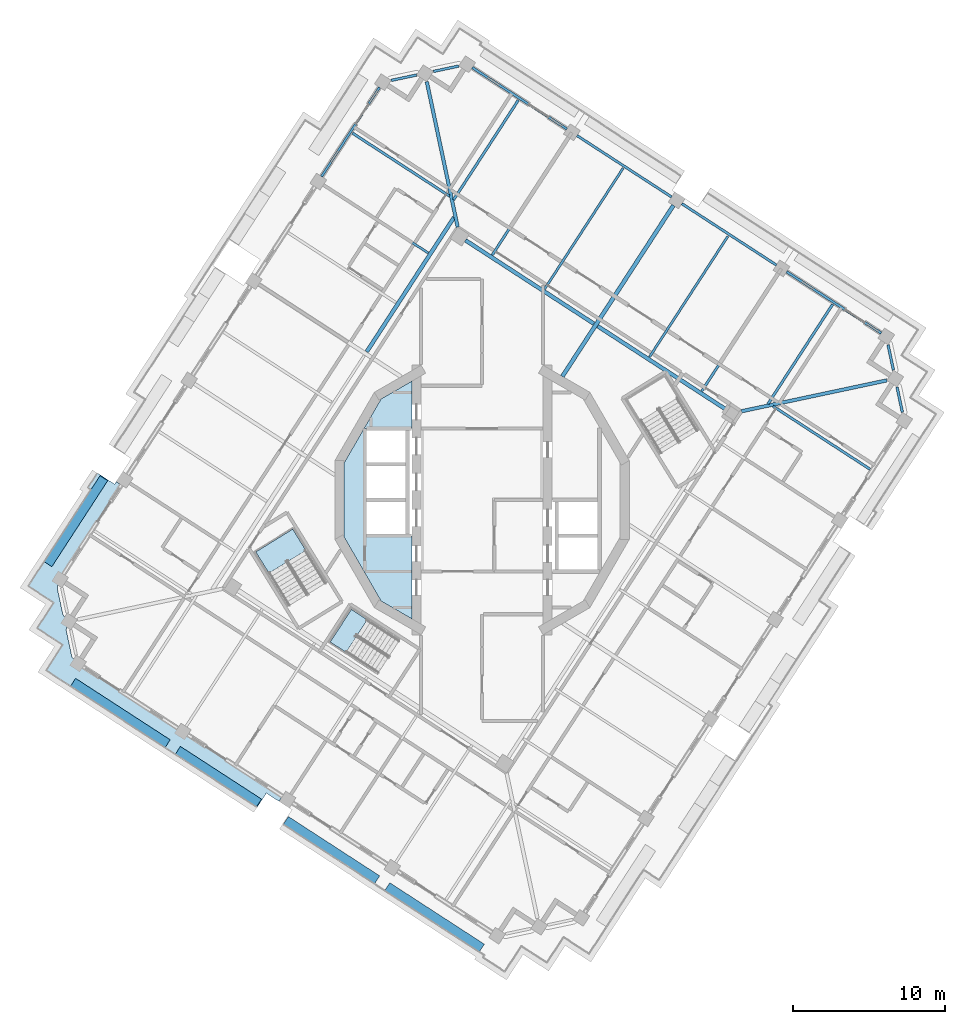
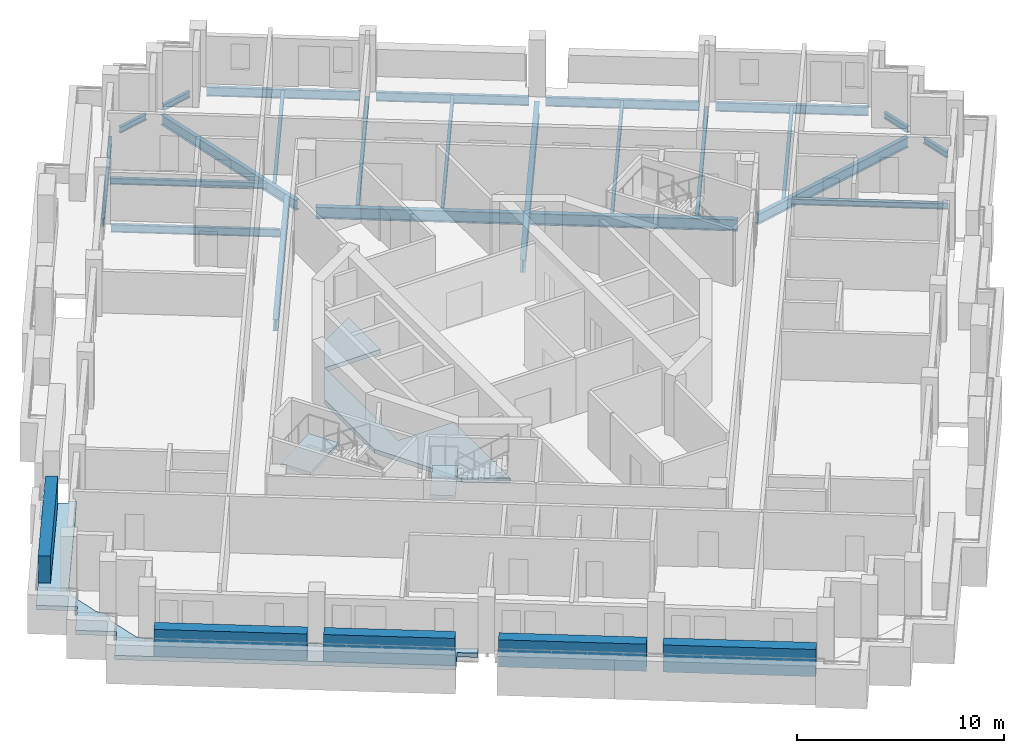
# One storey, part 2 of 15: 24 beams, 5 plates, 4 slabs, 2 elements without a shape of their own.
"""IFC4 building model written with IfcOpenShell, lengths in metres."""

from ifc_helpers import new_model, si_unit, direction, frame, origin, origin_2d, place, context, subcontext, project, spatial, polyline, rectangle, i_section, outline, extrude, material, layer, layer_set, material_profile, profile_set, type_object, element, aggregate, save


model = new_model("IFC4")

# Units and contexts
model_context = context("Model", 3, precision=1e-05, world=origin(), true_north=direction((0.0, 1.0)))
body_context = subcontext(model_context, "Body", "Model", "MODEL_VIEW")
ifc_project = project(units=[si_unit("LENGTHUNIT", "METRE"), si_unit("AREAUNIT", "SQUARE_METRE"), si_unit("VOLUMEUNIT", "CUBIC_METRE"), si_unit("PLANEANGLEUNIT", "RADIAN"), si_unit("MASSUNIT", "GRAM", prefix="KILO")], contexts=[model_context])

# Site, building, storey
site_placement = place(None, origin())
site = spatial("IfcSite", under=ifc_project, at=site_placement, CompositionType="ELEMENT")
building_placement = place(site_placement, origin())
building = spatial("IfcBuilding", under=site, at=building_placement, Name="Cantera Rosa Tower", CompositionType="ELEMENT")
storey_placement = place(building_placement, frame((0.0, 0.0, 272.10009765625)))
storey = spatial("IfcBuildingStorey", under=building, at=storey_placement, Name="L61", CompositionType="ELEMENT", Elevation=272.10009765625)

# Beams
ifc_material_1 = material(Name="Steel ASTM A992 (Fy 345 MPa)", Category="steel")
ifc_material_profile_1 = material_profile(ifc_material_1, i_section(OverallWidth=0.154052734375, OverallDepth=0.4599609375, WebThickness=0.009033203125, FlangeThickness=0.015380859375, FilletRadius=0.01025390625, at=origin_2d()), Name="W460X68")
ifc_profile_set_1 = profile_set([ifc_material_profile_1], Name="Steel ASTM A992 (Fy 345 MPa)")
beam_type_1 = type_object("IfcBeamType", Name="STEEL BEAM W460X68", PredefinedType="BEAM", material=ifc_profile_set_1)
beam_1_placement = place(storey_placement, frame((-10.41748046875, 20.68017578125, -0.47998046875), z_axis=(0.838672777751, -0.544635632198, 0.0), x_axis=(0.544635632198, 0.838672777751, 0.0)))
element("IfcBeam", 1, at=beam_1_placement, inside=storey, type_object=beam_type_1, Name="G-Z5-04 L61", PredefinedType="BEAM", context=body_context, shape_type="SweptSolid", body=[
    extrude(i_section(OverallWidth=0.154052734375, OverallDepth=0.4599609375, WebThickness=0.009033203125, FlangeThickness=0.015380859375, FilletRadius=0.01025390625, at=origin_2d()), origin(), (0.0, 0.0, 1.0), 8.2001953125),
])
ifc_material_2 = material(Name="Steel ASTM A992 (Fy 345 MPa)", Category="steel")
ifc_material_profile_2 = material_profile(ifc_material_2, i_section(OverallWidth=0.166015625, OverallDepth=0.528076171875, WebThickness=0.009765625, FlangeThickness=0.013671875, FilletRadius=0.0126953125, at=origin_2d()), Name="W530X74")
ifc_profile_set_2 = profile_set([ifc_material_profile_2], Name="Steel ASTM A992 (Fy 345 MPa)")
beam_type_2 = type_object("IfcBeamType", Name="STEEL BEAM W530X74", PredefinedType="BEAM", material=ifc_profile_set_2)
beam_2_placement = place(storey_placement, frame((19.430908203125, 14.865234375, -0.51416015625), z_axis=(-0.544634776066, -0.838673333724, 0.0), x_axis=(0.838673333724, -0.544634776066, 0.0)))
element("IfcBeam", 2, at=beam_2_placement, inside=storey, type_object=beam_type_2, Name="G-Z5-01 L61", PredefinedType="BEAM", context=body_context, shape_type="SweptSolid", body=[
    extrude(i_section(OverallWidth=0.166015625, OverallDepth=0.528076171875, WebThickness=0.009765625, FlangeThickness=0.013671875, FilletRadius=0.0126953125, at=origin_2d()), origin(), (0.0, 0.0, 1.0), 9.19970703125),
])
beam_3_placement = place(storey_placement, frame((5.6767578125, 23.79736328125, -0.51416015625), z_axis=(-0.544622654601, -0.838681205283, 0.0), x_axis=(0.838681205283, -0.544622654601, 0.0)))
element("IfcBeam", 3, at=beam_3_placement, inside=storey, type_object=beam_type_2, Name="G-Z5-03 L61", PredefinedType="BEAM", context=body_context, shape_type="SweptSolid", body=[
    extrude(i_section(OverallWidth=0.166015625, OverallDepth=0.528076171875, WebThickness=0.009765625, FlangeThickness=0.013671875, FilletRadius=0.0126953125, at=origin_2d()), origin(), (0.0, 0.0, 1.0), 9.199951171875),
])
ifc_material_3 = material(Name="Steel ASTM A992 (Fy 345 MPa)", Category="steel")
ifc_material_profile_3 = material_profile(ifc_material_3, i_section(OverallWidth=0.22802734375, OverallDepth=0.60205078125, WebThickness=0.010498046875, FlangeThickness=0.014892578125, FilletRadius=0.0126953125, at=origin_2d()), Name="W610X101")
ifc_profile_set_3 = profile_set([ifc_material_profile_3], Name="Steel ASTM A992 (Fy 345 MPa)")
beam_type_3 = type_object("IfcBeamType", Name="STEEL BEAM W610X101", PredefinedType="BEAM", material=ifc_profile_set_3)
for number, where, z_axis, x_axis, name in (
    (4, (-3.63134765625, 27.45751953125, -0.551025390625), (0.20790902572, -0.978148167214, 0.0), (0.978148167214, 0.20790902572, 0.0), "CB-Z5-01 L61"),
    (5, (26.560791015625, 7.8505859375, -0.551025390625), (-0.978148167214, -0.20790902572, 0.0), (0.20790902572, -0.978148167214, 0.0), "CB-Z5-04 L61"),
):
    element("IfcBeam", number, at=place(storey_placement, frame(where, z_axis=z_axis, x_axis=x_axis)), inside=storey, type_object=beam_type_3, Name=name, PredefinedType="BEAM", context=body_context, shape_type="SweptSolid", body=[
        extrude(i_section(OverallWidth=0.22802734375, OverallDepth=0.60205078125, WebThickness=0.010498046875, FlangeThickness=0.014892578125, FilletRadius=0.0126953125, at=origin_2d()), origin(), (0.0, 0.0, 1.0), 9.758056640625),
    ])
ifc_material_4 = material(Name="Steel ASTM A992 (Fy 345 MPa)", Category="steel")
ifc_material_profile_4 = material_profile(ifc_material_4, i_section(OverallWidth=0.25390625, OverallDepth=0.677978515625, WebThickness=0.01171875, FlangeThickness=0.016357421875, FilletRadius=0.01513671875, at=origin_2d()), Name="W690X125")
ifc_profile_set_4 = profile_set([ifc_material_profile_4], Name="Steel ASTM A992 (Fy 345 MPa)")
beam_type_4 = type_object("IfcBeamType", Name="STEEL BEAM W690X125", PredefinedType="BEAM", material=ifc_profile_set_4)
beam_4_placement = place(storey_placement, frame((-7.570068359375, 9.733154296875, -0.589111328125), z_axis=(0.544635575355, 0.838672814665, 0.0), x_axis=(-0.838672814665, 0.544635575355, 0.0)))
element("IfcBeam", 6, at=beam_4_placement, inside=storey, type_object=beam_type_4, Name="RB-Z5-03 L61", PredefinedType="BEAM", context=body_context, shape_type="SweptSolid", body=[
    extrude(i_section(OverallWidth=0.25390625, OverallDepth=0.677978515625, WebThickness=0.01171875, FlangeThickness=0.016357421875, FilletRadius=0.01513671875, at=origin_2d()), origin(), (0.0, 0.0, 1.0), 10.510009765625),
])
beam_5_placement = place(storey_placement, frame((16.01611328125, 5.9345703125, -0.589111328125), z_axis=(-0.838672207367, 0.544636510519, 0.0), x_axis=(-0.544636510519, -0.838672207367, 0.0)))
element("IfcBeam", 7, at=beam_5_placement, inside=storey, type_object=beam_type_4, Name="RB-Z5-07 L61", PredefinedType="BEAM", context=body_context, shape_type="SweptSolid", body=[
    extrude(i_section(OverallWidth=0.25390625, OverallDepth=0.677978515625, WebThickness=0.01171875, FlangeThickness=0.016357421875, FilletRadius=0.01513671875, at=origin_2d()), origin(), (0.0, 0.0, 1.0), 10.050048828125),
])
beam_6_placement = place(storey_placement, frame((7.335693359375, 11.571533203125, -0.589111328125), z_axis=(-0.838665001306, 0.544647606792, 0.0), x_axis=(-0.544647606792, -0.838665001306, 0.0)))
element("IfcBeam", 8, at=beam_6_placement, inside=storey, type_object=beam_type_4, Name="RB-Z5-08 L61", PredefinedType="BEAM", context=body_context, shape_type="SweptSolid", body=[
    extrude(i_section(OverallWidth=0.25390625, OverallDepth=0.677978515625, WebThickness=0.01171875, FlangeThickness=0.016357421875, FilletRadius=0.01513671875, at=origin_2d()), origin(), (0.0, 0.0, 1.0), 10.0498046875),
])
ifc_material_5 = material(Name="Steel ASTM A992 (Fy 345 MPa)", Category="steel")
ifc_material_profile_5 = material_profile(ifc_material_5, i_section(OverallWidth=0.26708984375, OverallDepth=0.75390625, WebThickness=0.01318359375, FlangeThickness=0.01708984375, FilletRadius=0.0166015625, at=origin_2d()), Name="W760X147")
ifc_profile_set_5 = profile_set([ifc_material_profile_5], Name="Steel ASTM A992 (Fy 345 MPa)")
beam_type_5 = type_object("IfcBeamType", Name="STEEL BEAM W760X147", PredefinedType="BEAM", material=ifc_profile_set_5)
beam_7_placement = place(storey_placement, frame((12.553955078125, 19.331298828125, -0.627197265625), z_axis=(-0.54464061985, -0.838669538739, 0.0), x_axis=(0.838669538739, -0.54464061985, 0.0)))
element("IfcBeam", 9, at=beam_7_placement, inside=storey, type_object=beam_type_5, Name="G-Z5-02 L61", PredefinedType="BEAM", context=body_context, shape_type="SweptSolid", body=[
    extrude(i_section(OverallWidth=0.26708984375, OverallDepth=0.75390625, WebThickness=0.01318359375, FlangeThickness=0.01708984375, FilletRadius=0.0166015625, at=origin_2d()), origin(), (0.0, 0.0, 1.0), 13.37744140625),
])
ifc_material_6 = material(Name="Steel ASTM A992 (Fy 345 MPa)", Category="steel")
ifc_material_profile_6 = material_profile(ifc_material_6, i_section(OverallWidth=0.1708984375, OverallDepth=0.35595703125, WebThickness=0.00732421875, FlangeThickness=0.01171875, FilletRadius=0.010009765625, at=origin_2d()), Name="W360X51")
ifc_profile_set_6 = profile_set([ifc_material_profile_6], Name="Steel ASTM A992 (Fy 345 MPa)")
beam_type_6 = type_object("IfcBeamType", Name="STEEL JOIST W360X51", PredefinedType="JOIST", material=ifc_profile_set_6)
for number, where, z_axis, x_axis, name in (
    (10, (23.005859375, 12.842041015625, -0.427978515625), (-0.544641754757, -0.838668801718, 0.0), (0.838668801718, -0.544641754757, 0.0), "B-Z5-01 L61"),
    (11, (2.37451171875, 26.239990234375, -0.427978515625), (-0.54465605183, -0.838659516851, 0.0), (0.838659516851, -0.54465605183, 0.0), "B-Z5-04 L61"),
):
    element("IfcBeam", number, at=place(storey_placement, frame(where, z_axis=z_axis, x_axis=x_axis)), inside=storey, type_object=beam_type_6, Name=name, PredefinedType="JOIST", context=body_context, shape_type="SweptSolid", body=[
        extrude(i_section(OverallWidth=0.1708984375, OverallDepth=0.35595703125, WebThickness=0.00732421875, FlangeThickness=0.01171875, FilletRadius=0.010009765625, at=origin_2d()), origin(), (0.0, 0.0, 1.0), 7.800048828125),
    ])
beam_8_placement = place(storey_placement, frame((-8.508544921875, 24.07861328125, -0.427978515625), z_axis=(0.838670629323, -0.544638940502, 0.0), x_axis=(0.544638940502, 0.838670629323, 0.0)))
element("IfcBeam", 12, at=beam_8_placement, inside=storey, type_object=beam_type_6, Name="B-Z5-05 L61", PredefinedType="JOIST", context=body_context, shape_type="SweptSolid", body=[
    extrude(i_section(OverallWidth=0.1708984375, OverallDepth=0.35595703125, WebThickness=0.00732421875, FlangeThickness=0.01171875, FilletRadius=0.010009765625, at=origin_2d()), origin(), (0.0, 0.0, 1.0), 7.58984375),
])
beam_9_placement = place(storey_placement, frame((25.457763671875, 2.020751953125, -0.427978515625), z_axis=(-0.838680170462, 0.54462424815, 0.0), x_axis=(-0.54462424815, -0.838680170462, 0.0)))
element("IfcBeam", 13, at=beam_9_placement, inside=storey, type_object=beam_type_6, Name="B-Z5-14 L61", PredefinedType="JOIST", context=body_context, shape_type="SweptSolid", body=[
    extrude(i_section(OverallWidth=0.1708984375, OverallDepth=0.35595703125, WebThickness=0.00732421875, FlangeThickness=0.01171875, FilletRadius=0.010009765625, at=origin_2d()), origin(), (0.0, 0.0, 1.0), 7.590087890625),
])
ifc_material_7 = material(Name="Steel ASTM A992 (Fy 345 MPa)", Category="steel")
ifc_material_profile_7 = material_profile(ifc_material_7, i_section(OverallWidth=0.154052734375, OverallDepth=0.4599609375, WebThickness=0.009033203125, FlangeThickness=0.015380859375, FilletRadius=0.01025390625, at=origin_2d()), Name="W460X68")
ifc_profile_set_7 = profile_set([ifc_material_profile_7], Name="Steel ASTM A992 (Fy 345 MPa)")
beam_type_7 = type_object("IfcBeamType", Name="STEEL JOIST W460X68", PredefinedType="JOIST", material=ifc_profile_set_7)
beam_10_placement = place(storey_placement, frame((16.128662109375, 17.30810546875, -0.47998046875), z_axis=(-0.544644146603, -0.838667248419, 0.0), x_axis=(0.838667248419, -0.544644146603, 0.0)))
element("IfcBeam", 14, at=beam_10_placement, inside=storey, type_object=beam_type_7, Name="B-Z5-02 L61", PredefinedType="JOIST", context=body_context, shape_type="SweptSolid", body=[
    extrude(i_section(OverallWidth=0.154052734375, OverallDepth=0.4599609375, WebThickness=0.009033203125, FlangeThickness=0.015380859375, FilletRadius=0.01025390625, at=origin_2d()), origin(), (0.0, 0.0, 1.0), 9.4501953125),
])
beam_11_placement = place(storey_placement, frame((9.25146484375, 21.77392578125, -0.47998046875), z_axis=(-0.544637775879, -0.838671385636, 0.0), x_axis=(0.838671385636, -0.544637775879, 0.0)))
element("IfcBeam", 15, at=beam_11_placement, inside=storey, type_object=beam_type_7, Name="B-Z5-03 L61", PredefinedType="JOIST", context=body_context, shape_type="SweptSolid", body=[
    extrude(i_section(OverallWidth=0.154052734375, OverallDepth=0.4599609375, WebThickness=0.009033203125, FlangeThickness=0.015380859375, FilletRadius=0.01025390625, at=origin_2d()), origin(), (0.0, 0.0, 1.0), 9.44970703125),
])
ifc_material_8 = material(Name="Steel ASTM A992 (Fy 345 MPa)", Category="steel")
ifc_material_profile_8 = material_profile(ifc_material_8, i_section(OverallWidth=0.1708984375, OverallDepth=0.35595703125, WebThickness=0.00732421875, FlangeThickness=0.01171875, FilletRadius=0.010009765625, at=origin_2d()), Name="W360X51")
ifc_profile_set_8 = profile_set([ifc_material_profile_8], Name="Steel ASTM A992 (Fy 345 MPa)")
beam_type_8 = type_object("IfcBeamType", Name="STEEL SPANDREL BEAM W360X51", PredefinedType="SPANDREL", material=ifc_profile_set_8)
for number, where, z_axis, x_axis, name in (
    (16, (-1.53564453125, 28.481201171875, -0.427978515625), (-0.978158850918, -0.20785875582, 0.0), (0.20785875582, -0.978158850918, 0.0), "EB-Z5-05 L61"),
    (17, (-4.30224609375, 27.893310546875, -0.427978515625), (-0.978129595322, -0.207996381593, 0.0), (0.207996381593, -0.978129595322, 0.0), "EB-Z5-06 L61"),
):
    element("IfcBeam", number, at=place(storey_placement, frame(where, z_axis=z_axis, x_axis=x_axis)), inside=storey, type_object=beam_type_8, Name=name, PredefinedType="SPANDREL", context=body_context, shape_type="SweptSolid", body=[
        extrude(i_section(OverallWidth=0.1708984375, OverallDepth=0.35595703125, WebThickness=0.00732421875, FlangeThickness=0.01171875, FilletRadius=0.010009765625, at=origin_2d()), origin(), (0.0, 0.0, 1.0), 1.697265625),
    ])
for number, where, z_axis, x_axis, name in (
    (18, (27.58447265625, 5.7548828125, -0.427978515625), (-0.207888006632, 0.978152634663, 0.0), (-0.978152634663, -0.207888006632, 0.0), "EB-Z5-25 L61"),
    (19, (26.996337890625, 8.521484375, -0.427978515625), (-0.207888006632, 0.978152634663, 0.0), (-0.978152634663, -0.207888006632, 0.0), "EB-Z5-26 L61"),
):
    element("IfcBeam", number, at=place(storey_placement, frame(where, z_axis=z_axis, x_axis=x_axis)), inside=storey, type_object=beam_type_8, Name=name, PredefinedType="SPANDREL", context=body_context, shape_type="SweptSolid", body=[
        extrude(i_section(OverallWidth=0.1708984375, OverallDepth=0.35595703125, WebThickness=0.00732421875, FlangeThickness=0.01171875, FilletRadius=0.010009765625, at=origin_2d()), origin(), (0.0, 0.0, 1.0), 1.697021484375),
    ])
ifc_material_9 = material(Name="Steel ASTM A992 (Fy 345 MPa)", Category="steel")
ifc_material_profile_9 = material_profile(ifc_material_9, i_section(OverallWidth=0.154052734375, OverallDepth=0.4599609375, WebThickness=0.009033203125, FlangeThickness=0.015380859375, FilletRadius=0.01025390625, at=origin_2d()), Name="W460X68")
ifc_profile_set_9 = profile_set([ifc_material_profile_9], Name="Steel ASTM A992 (Fy 345 MPa)")
beam_type_9 = type_object("IfcBeamType", Name="STEEL SPANDREL BEAM W460X68", PredefinedType="SPANDREL", material=ifc_profile_set_9)
beam_12_placement = place(storey_placement, frame((-6.7333984375, 27.08740234375, -0.47998046875), z_axis=(-0.544651451949, -0.838662504164, 0.0), x_axis=(0.838662504164, -0.544651451949, 0.0)))
element("IfcBeam", 20, at=beam_12_placement, inside=storey, type_object=beam_type_9, Name="EB-Z5-07 L61", PredefinedType="SPANDREL", context=body_context, shape_type="SweptSolid", body=[
    extrude(i_section(OverallWidth=0.154052734375, OverallDepth=0.4599609375, WebThickness=0.009033203125, FlangeThickness=0.015380859375, FilletRadius=0.01025390625, at=origin_2d()), origin(), (0.0, 0.0, 1.0), 6.980224609375),
])
ifc_material_10 = material(Name="Steel ASTM A992 (Fy 345 MPa)", Category="steel")
ifc_material_profile_10 = material_profile(ifc_material_10, i_section(OverallWidth=0.166015625, OverallDepth=0.528076171875, WebThickness=0.009765625, FlangeThickness=0.013671875, FilletRadius=0.0126953125, at=origin_2d()), Name="W530X74")
ifc_profile_set_10 = profile_set([ifc_material_profile_10], Name="Steel ASTM A992 (Fy 345 MPa)")
beam_type_10 = type_object("IfcBeamType", Name="STEEL SPANDREL BEAM W530X74", PredefinedType="SPANDREL", material=ifc_profile_set_10)
beam_13_placement = place(storey_placement, frame((26.1904296875, 10.95263671875, -0.51416015625), z_axis=(-0.838669679097, 0.544640403719, 0.0), x_axis=(-0.544640403719, -0.838669679097, 0.0)))
element("IfcBeam", 21, at=beam_13_placement, inside=storey, type_object=beam_type_10, Name="EB-Z5-01 L61", PredefinedType="SPANDREL", context=body_context, shape_type="SweptSolid", body=[
    extrude(i_section(OverallWidth=0.166015625, OverallDepth=0.528076171875, WebThickness=0.009765625, FlangeThickness=0.013671875, FilletRadius=0.0126953125, at=origin_2d()), origin(), (0.0, 0.0, 1.0), 7.39990234375),
])
beam_14_placement = place(storey_placement, frame((19.3134765625, 15.418701171875, -0.51416015625), z_axis=(-0.838679465365, 0.544625333946, 0.0), x_axis=(-0.544625333946, -0.838679465365, 0.0)))
element("IfcBeam", 22, at=beam_14_placement, inside=storey, type_object=beam_type_10, Name="EB-Z5-02 L61", PredefinedType="SPANDREL", context=body_context, shape_type="SweptSolid", body=[
    extrude(i_section(OverallWidth=0.166015625, OverallDepth=0.528076171875, WebThickness=0.009765625, FlangeThickness=0.013671875, FilletRadius=0.0126953125, at=origin_2d()), origin(), (0.0, 0.0, 1.0), 7.400146484375),
])
beam_15_placement = place(storey_placement, frame((12.436279296875, 19.884765625, -0.51416015625), z_axis=(-0.838669679097, 0.544640403719, 0.0), x_axis=(-0.544640403719, -0.838669679097, 0.0)))
element("IfcBeam", 23, at=beam_15_placement, inside=storey, type_object=beam_type_10, Name="EB-Z5-03 L61", PredefinedType="SPANDREL", context=body_context, shape_type="SweptSolid", body=[
    extrude(i_section(OverallWidth=0.166015625, OverallDepth=0.528076171875, WebThickness=0.009765625, FlangeThickness=0.013671875, FilletRadius=0.0126953125, at=origin_2d()), origin(), (0.0, 0.0, 1.0), 7.39990234375),
])
beam_16_placement = place(storey_placement, frame((5.559326171875, 24.350830078125, -0.51416015625), z_axis=(-0.838679465365, 0.544625333946, 0.0), x_axis=(-0.544625333946, -0.838679465365, 0.0)))
element("IfcBeam", 24, at=beam_16_placement, inside=storey, type_object=beam_type_10, Name="EB-Z5-04 L61", PredefinedType="SPANDREL", context=body_context, shape_type="SweptSolid", body=[
    extrude(i_section(OverallWidth=0.166015625, OverallDepth=0.528076171875, WebThickness=0.009765625, FlangeThickness=0.013671875, FilletRadius=0.0126953125, at=origin_2d()), origin(), (0.0, 0.0, 1.0), 7.400146484375),
])

# Slabs
ifc_material_11 = material(Name="Concrete C35/45", Category="concrete")
ifc_layer_1 = layer(ifc_material_11, 0.25)
ifc_layer_set_1 = layer_set([ifc_layer_1], Name="COMPOSITE FLOOR SLAB 250 C35/45")
slab_type_1 = type_object("IfcSlabType", Name="COMPOSITE FLOOR SLAB 250 C35/45", PredefinedType="FLOOR", material=ifc_layer_set_1)
slab_1_placement = place(storey_placement, frame((0.0, 0.0, -0.25)))
element("IfcSlab", 25, at=slab_1_placement, inside=storey, type_object=slab_type_1, Name="SLAB L61 floor 1", PredefinedType="FLOOR", context=body_context, shape_type="SweptSolid", body=[
    extrude(outline(polyline([(-6.6318359375, -6.6318359375), (-9.059326171875, -2.427490234375), (-9.059326171875, 2.427490234375), (-6.6318359375, 6.6318359375), (-4.60009765625, 7.804931640625), (-4.60009765625, 4.699951171875), (-7.699951171875, 4.699951171875), (-7.699951171875, 2.35009765625), (-7.699951171875, 0.0), (-7.699951171875, -2.35009765625), (-4.60009765625, -2.35009765625), (-4.60009765625, -7.804931640625), (-6.6318359375, -6.6318359375)])), origin(), (0.0, 0.0, 1.0), 0.25),
])
ifc_material_12 = material(Name="Concrete C35/45", Category="concrete")
ifc_layer_2 = layer(ifc_material_12, 0.25)
ifc_layer_set_2 = layer_set([ifc_layer_2], Name="LOGGIA SLAB 250 C35/45")
slab_type_2 = type_object("IfcSlabType", Name="LOGGIA SLAB 250 C35/45", PredefinedType="FLOOR", material=ifc_layer_set_2)
slab_2_placement = place(storey_placement, frame((0.0, 0.0, -0.25)))
element("IfcSlab", 26, at=slab_2_placement, inside=storey, type_object=slab_type_2, Name="LOGGIA SLAB L61 1", PredefinedType="FLOOR", context=body_context, shape_type="SweptSolid", body=[
    extrude(outline(polyline([(-28.600830078125, -11.17578125), (-27.783935546875, -9.917724609375), (-27.51171875, -9.49853515625), (-27.930908203125, -9.22607421875), (-29.18896484375, -8.4091796875), (-28.3720703125, -7.151123046875), (-28.099609375, -6.731689453125), (-28.51904296875, -6.45947265625), (-29.777099609375, -5.642578125), (-28.960205078125, -4.384521484375), (-25.66650390625, 0.68701171875), (-25.86181640625, 0.813720703125), (-25.244873046875, 1.763916015625), (-24.127197265625, 1.0380859375), (-24.01806640625, 1.205810546875), (-23.6826171875, 0.98779296875), (-27.13330078125, -4.32568359375), (-27.7021484375, -5.201416015625), (-27.863037109375, -5.643798828125), (-27.872802734375, -5.67138671875), (-27.87939453125, -5.7001953125), (-27.88330078125, -5.729248046875), (-27.884521484375, -5.7587890625), (-27.882568359375, -5.7880859375), (-27.8779296875, -5.817138671875), (-27.525146484375, -7.477294921875), (-27.517578125, -7.505615234375), (-27.50732421875, -7.533203125), (-27.494384765625, -7.559814453125), (-27.47900390625, -7.584716796875), (-27.461181640625, -7.608154296875), (-27.44091796875, -7.629638671875), (-27.114013671875, -7.968017578125), (-27.275146484375, -8.410400390625), (-27.28466796875, -8.43798828125), (-27.29150390625, -8.466796875), (-27.29541015625, -8.49609375), (-27.29638671875, -8.525390625), (-27.294677734375, -8.5546875), (-27.289794921875, -8.583740234375), (-26.93701171875, -10.243896484375), (-26.929443359375, -10.272216796875), (-26.919189453125, -10.2998046875), (-26.90625, -10.326416015625), (-26.890869140625, -10.351318359375), (-26.873046875, -10.374755859375), (-26.852783203125, -10.396240234375), (-26.52587890625, -10.734619140625), (-25.650146484375, -11.303466796875), (-13.107421875, -19.448974609375), (-13.3251953125, -19.784423828125), (-14.163818359375, -19.23974609375), (-14.762939453125, -20.162353515625), (-14.8466796875, -20.10791015625), (-19.207763671875, -17.275634765625), (-21.723876953125, -15.641845703125), (-27.343017578125, -11.992919921875), (-28.600830078125, -11.17578125)])), origin(), (0.0, 0.0, 1.0), 0.25),
])

# Plates
ifc_material_13 = material(Name="Cantera stone planter with soil", Category="masonry")
plate_type = type_object("IfcPlateType", Name="PLANTER 600", PredefinedType="USERDEFINED", material=ifc_material_13)
plate_1_placement = place(storey_placement, frame((-26.657958984375, -1.390380859375, -0.000244140625), z_axis=(0.0, 0.0, 1.0), x_axis=(-0.544639035015, -0.838670567945, 0.0)))
element("IfcPlate", 27, at=plate_1_placement, inside=storey, type_object=plate_type, Name="PLANTER L61-09", ObjectType="PLANTER", PredefinedType="USERDEFINED", context=body_context, shape_type="SweptSolid", body=[
    extrude(rectangle(XDim=6.72998046875, YDim=0.60009765625, at=origin_2d()), origin(), (0.0, 0.0, 1.0), 1.60009765625),
])
plate_2_placement = place(storey_placement, frame((-23.740966796875, -13.97412109375, -0.000244140625), z_axis=(0.0, 0.0, 1.0), x_axis=(0.838670567945, -0.544639035015, 0.0)))
element("IfcPlate", 28, at=plate_2_placement, inside=storey, type_object=plate_type, Name="PLANTER L61-10", ObjectType="PLANTER", PredefinedType="USERDEFINED", context=body_context, shape_type="SweptSolid", body=[
    extrude(rectangle(XDim=7.39990234375, YDim=0.60009765625, at=origin_2d()), origin(), (0.0, 0.0, 1.0), 1.60009765625),
])
plate_3_placement = place(storey_placement, frame((-17.30419921875, -18.154296875, -0.000244140625), z_axis=(0.0, 0.0, 1.0), x_axis=(0.838670567945, -0.544639035015, 0.0)))
element("IfcPlate", 29, at=plate_3_placement, inside=storey, type_object=plate_type, Name="PLANTER L61-11", ObjectType="PLANTER", PredefinedType="USERDEFINED", context=body_context, shape_type="SweptSolid", body=[
    extrude(rectangle(XDim=6.35009765625, YDim=0.60009765625, at=origin_2d()), origin(), (0.0, 0.0, 1.0), 1.60009765625),
])
plate_4_placement = place(storey_placement, frame((-9.882080078125, -22.974365234375, -0.000244140625), z_axis=(0.0, 0.0, 1.0), x_axis=(0.838670567945, -0.544639035015, 0.0)))
element("IfcPlate", 30, at=plate_4_placement, inside=storey, type_object=plate_type, Name="PLANTER L61-12", ObjectType="PLANTER", PredefinedType="USERDEFINED", context=body_context, shape_type="SweptSolid", body=[
    extrude(rectangle(XDim=7.14990234375, YDim=0.60009765625, at=origin_2d()), origin(), (0.0, 0.0, 1.0), 1.60009765625),
])
plate_5_placement = place(storey_placement, frame((-3.1201171875, -27.388427734375, -0.000244140625), z_axis=(0.0, 0.0, 1.0), x_axis=(0.838670567945, -0.544639035015, 0.0)))
element("IfcPlate", 31, at=plate_5_placement, inside=storey, type_object=plate_type, Name="PLANTER L61-13", ObjectType="PLANTER", PredefinedType="USERDEFINED", context=body_context, shape_type="SweptSolid", body=[
    extrude(rectangle(XDim=7.39990234375, YDim=0.60009765625, at=origin_2d()), origin(), (0.0, 0.0, 1.0), 1.60009765625),
])

# Stair, slab
ifc_material_14 = material(Name="Concrete C35/45", Category="concrete")
stair_type_1 = type_object("IfcStairType", Name="EXIT STAIR 1350 DOGLEG", PredefinedType="HALF_TURN_STAIR", material=ifc_material_14)
stair_1_placement = place(storey_placement, origin())
stair_1 = element("IfcStair", 32, at=stair_1_placement, inside=storey, type_object=stair_type_1, Name="L61 ST-52", PredefinedType="HALF_TURN_STAIR")
ifc_material_15 = material(Name="Concrete C35/45", Category="concrete")
ifc_layer_3 = layer(ifc_material_15, 0.199951171875)
ifc_layer_set_3 = layer_set([ifc_layer_3], Name="STAIR LANDING 200")
slab_type_3 = type_object("IfcSlabType", Name="STAIR LANDING 200", PredefinedType="LANDING", material=ifc_layer_set_3)
slab_3_placement = place(storey_placement, frame((0.0, 0.0, 1.599853515625)))
slab_3 = element("IfcSlab", 33, at=slab_3_placement, type_object=slab_type_3, Name="ST-52 landing 1", PredefinedType="LANDING", context=body_context, shape_type="SweptSolid", body=[
    extrude(outline(polyline([(-11.56884765625, -3.308837890625), (-12.430908203125, -1.911376953125), (-14.8564453125, -3.407470703125), (-13.99462890625, -4.80517578125), (-11.56884765625, -3.308837890625)])), origin(), (0.0, 0.0, 1.0), 0.199951171875),
])
aggregate(stair_1, [slab_3])

ifc_material_16 = material(Name="Concrete C35/45", Category="concrete")
stair_type_2 = type_object("IfcStairType", Name="EXIT STAIR 1200 DOGLEG", PredefinedType="HALF_TURN_STAIR", material=ifc_material_16)
stair_2_placement = place(storey_placement, origin())
stair_2 = element("IfcStair", 34, at=stair_2_placement, inside=storey, type_object=stair_type_2, Name="L61 ST-53", PredefinedType="HALF_TURN_STAIR")
slab_4_placement = place(storey_placement, frame((0.0, 0.0, 1.599853515625)))
slab_4 = element("IfcSlab", 35, at=slab_4_placement, type_object=slab_type_3, Name="ST-53 landing 1", PredefinedType="LANDING", context=body_context, shape_type="SweptSolid", body=[
    extrude(outline(polyline([(-7.53955078125, -7.859130859375), (-8.581298828125, -7.1826171875), (-9.97021484375, -9.3212890625), (-8.928466796875, -9.997802734375), (-7.53955078125, -7.859130859375)])), origin(), (0.0, 0.0, 1.0), 0.199951171875),
])
aggregate(stair_2, [slab_4])

save(model, "model.ifc")
